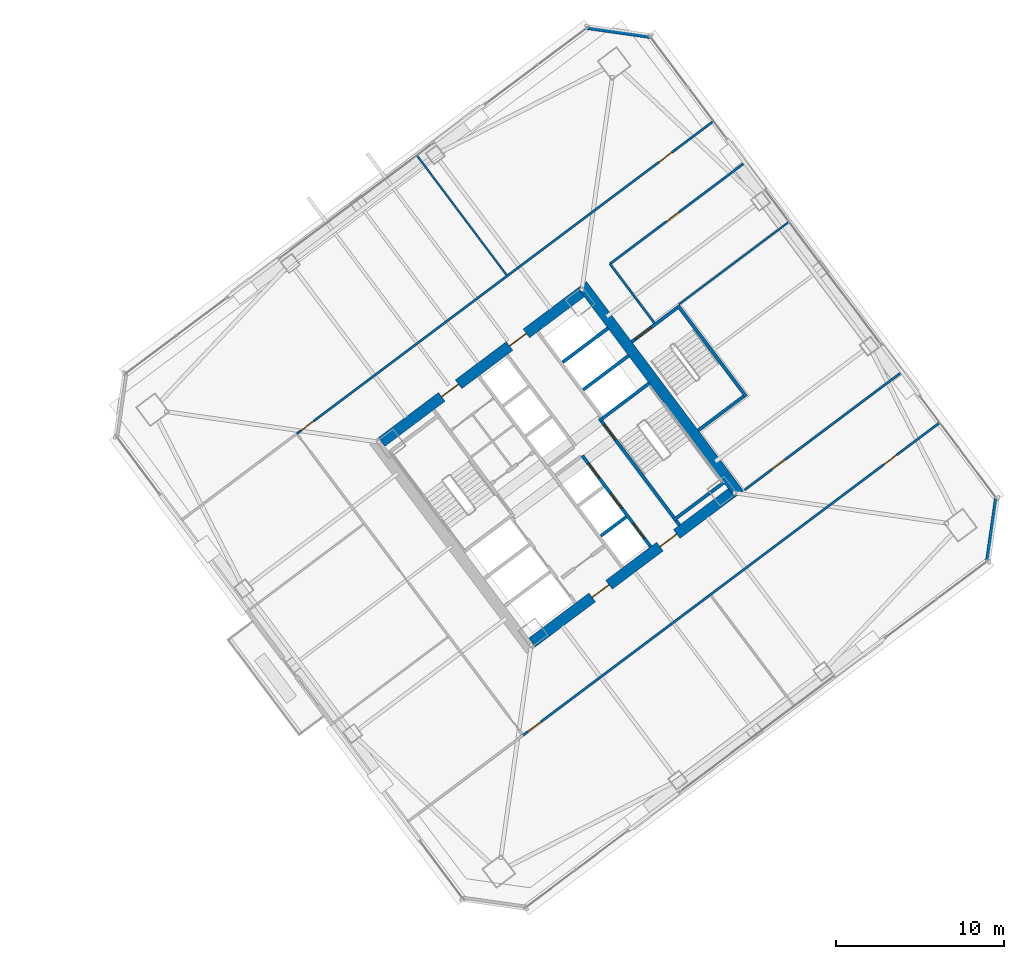
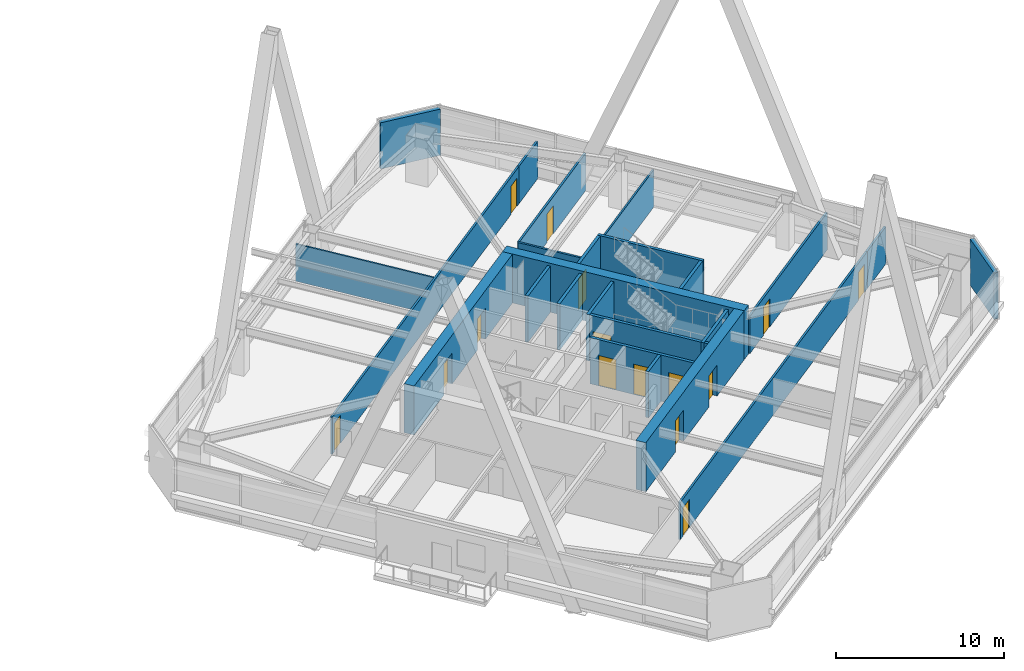
# One storey, part 46 of 54: 24 walls, 15 doors, 15 openings.
"""IFC4 building model written with IfcOpenShell, lengths in metres."""

from ifc_helpers import new_model, si_unit, direction, frame, frame_2d, origin, place, context, subcontext, project, spatial, rectangle, extrude, material, layer, layer_set, type_object, element, fill, save


model = new_model("IFC4")

# Units and contexts
model_context = context("Model", 3, precision=1e-05, world=origin(), true_north=direction((0.0, 1.0)))
body_context = subcontext(model_context, "Body", "Model", "MODEL_VIEW")
ifc_project = project(units=[si_unit("LENGTHUNIT", "METRE"), si_unit("AREAUNIT", "SQUARE_METRE"), si_unit("VOLUMEUNIT", "CUBIC_METRE"), si_unit("PLANEANGLEUNIT", "RADIAN"), si_unit("MASSUNIT", "GRAM", prefix="KILO")], contexts=[model_context])

# Site, building, storey
site_placement = place(None, origin())
site = spatial("IfcSite", under=ifc_project, at=site_placement, CompositionType="ELEMENT")
building_placement = place(site_placement, origin())
building = spatial("IfcBuilding", under=site, at=building_placement, Name="Tashvorn Skyway Center", CompositionType="ELEMENT")
storey_placement = place(building_placement, frame((0.0, 0.0, 88.5)))
storey = spatial("IfcBuildingStorey", under=building, at=storey_placement, Name="L23", CompositionType="ELEMENT", Elevation=88.5)

# Wall
ifc_material_1 = material(Name="Concrete C60/75", Category="concrete")
ifc_layer_1 = layer(ifc_material_1, 0.64990234375)
ifc_layer_set_1 = layer_set([ifc_layer_1], Name="Concrete C60/75")
wall_type_1 = type_object("IfcWallType", Name="WALL-CORE-650", PredefinedType="SHEAR", material=ifc_layer_set_1)
wall_1_placement = place(storey_placement, frame((115.52392578125, 42.89306640625, 0.0), z_axis=(0.0, 0.0, 1.0), x_axis=(0.600005007985, -0.799996243986, 0.0)))
element("IfcWall", 1, at=wall_1_placement, inside=storey, type_object=wall_type_1, Name="Tower 2 L23 East Core Shear Wall", PredefinedType="SHEAR", context=body_context, shape_type="SweptSolid", body=[
    extrude(rectangle(XDim=15.60009765625, YDim=0.64990234375, at=frame_2d((7.800048828125, 0.0))), origin(), (0.0, 0.0, 1.0), 3.550048828125),
])

# Wall, openings, doors
wall_2_placement = place(storey_placement, frame((124.428955078125, 30.47802734375, 0.0), z_axis=(0.0, 0.0, 1.0), x_axis=(-0.799998028465, -0.600002628705, 0.0)))
wall_2 = element("IfcWall", 2, at=wall_2_placement, inside=storey, type_object=wall_type_1, Name="Tower 2 L23 South Core Shear Wall", PredefinedType="SHEAR", context=body_context, shape_type="SweptSolid", body=[
    extrude(rectangle(XDim=14.85986328125, YDim=0.64990234375, at=frame_2d((7.429931640625, 0.0))), origin(), (0.0, 0.0, 1.0), 3.550048828125),
])
opening_1_placement = place(wall_2_placement, frame((9.1298828125, 0.0, 0.0)))
opening_1 = element("IfcOpeningElement", 3, at=opening_1_placement, cuts=wall_2, Name="Opening D-FFL-1250", PredefinedType="OPENING", context=body_context, shape_type="SweptSolid", body=[
    extrude(rectangle(XDim=1.25, YDim=2.25, at=frame_2d((0.625, 1.125))), frame((0.0, 0.3349609375, 0.0), z_axis=(0.0, -1.0, 0.0), x_axis=(1.0, 0.0, 0.0)), (0.0, 0.0, 1.0), 0.669921875),
])
opening_2_placement = place(wall_2_placement, frame((4.080078125, 0.0, 0.0)))
opening_2 = element("IfcOpeningElement", 4, at=opening_2_placement, cuts=wall_2, Name="Opening D-FFL-1250", PredefinedType="OPENING", context=body_context, shape_type="SweptSolid", body=[
    extrude(rectangle(XDim=1.25, YDim=2.25, at=frame_2d((0.625, 1.125))), frame((0.0, 0.3349609375, 0.0), z_axis=(0.0, -1.0, 0.0), x_axis=(1.0, 0.0, 0.0)), (0.0, 0.0, 1.0), 0.669921875),
])
ifc_material_2 = material(Name="Hollow galvanized steel fire door assembly", Category="steel")
door_type_1 = type_object("IfcDoorType", Name="DOOR-FFL-1250", OperationType="NOTDEFINED", PredefinedType="DOOR", material=ifc_material_2)
door_1_placement = place(opening_1_placement, origin())
door_1 = element("IfcDoor", 5, at=door_1_placement, inside=storey, type_object=door_type_1, Name="Tower 2 L23 Core South Firefighting Exit Door", OperationType="SINGLE_SWING_LEFT", OverallHeight=2.25, OverallWidth=1.25, PredefinedType="DOOR", context=body_context, shape_type="SweptSolid", body=[
    extrude(rectangle(XDim=1.25, YDim=2.25, at=frame_2d((0.625, 1.125))), frame((0.0, 0.02490234375, 0.0), z_axis=(0.0, -1.0, 0.0), x_axis=(1.0, 0.0, 0.0)), (0.0, 0.0, 1.0), 0.050048828125),
])
fill(opening_1, door_1)
door_2_placement = place(opening_2_placement, origin())
door_2 = element("IfcDoor", 6, at=door_2_placement, inside=storey, type_object=door_type_1, Name="Tower 2 L23 Core South Lift Lobby Door", OperationType="SINGLE_SWING_RIGHT", OverallHeight=2.25, OverallWidth=1.25, PredefinedType="DOOR", context=body_context, shape_type="SweptSolid", body=[
    extrude(rectangle(XDim=1.25, YDim=2.25, at=frame_2d((0.625, 1.125))), frame((0.0, 0.02490234375, 0.0), z_axis=(0.0, -1.0, 0.0), x_axis=(1.0, 0.0, 0.0)), (0.0, 0.0, 1.0), 0.050048828125),
])
fill(opening_2, door_2)

wall_3_placement = place(storey_placement, frame((103.571044921875, 33.52197265625, 0.0), z_axis=(0.0, 0.0, 1.0), x_axis=(0.799998028465, 0.600002628705, 0.0)))
wall_3 = element("IfcWall", 7, at=wall_3_placement, inside=storey, type_object=wall_type_1, Name="Tower 2 L23 North Core Shear Wall", PredefinedType="SHEAR", context=body_context, shape_type="SweptSolid", body=[
    extrude(rectangle(XDim=14.85986328125, YDim=0.64990234375, at=frame_2d((7.429931640625, 0.0))), origin(), (0.0, 0.0, 1.0), 3.550048828125),
])
opening_3_placement = place(wall_3_placement, frame((4.47998046875, 0.0, 0.0)))
opening_3 = element("IfcOpeningElement", 8, at=opening_3_placement, cuts=wall_3, Name="Opening D-FFL-1250", PredefinedType="OPENING", context=body_context, shape_type="SweptSolid", body=[
    extrude(rectangle(XDim=1.25, YDim=2.25, at=frame_2d((0.625, 1.125))), frame((0.0, 0.3349609375, 0.0), z_axis=(0.0, -1.0, 0.0), x_axis=(1.0, 0.0, 0.0)), (0.0, 0.0, 1.0), 0.669921875),
])
opening_4_placement = place(wall_3_placement, frame((9.530029296875, 0.0, 0.0)))
opening_4 = element("IfcOpeningElement", 9, at=opening_4_placement, cuts=wall_3, Name="Opening D-FFL-1250", PredefinedType="OPENING", context=body_context, shape_type="SweptSolid", body=[
    extrude(rectangle(XDim=1.25, YDim=2.25, at=frame_2d((0.625, 1.125))), frame((0.0, 0.3349609375, 0.0), z_axis=(0.0, -1.0, 0.0), x_axis=(1.0, 0.0, 0.0)), (0.0, 0.0, 1.0), 0.669921875),
])
door_3_placement = place(opening_3_placement, origin())
door_3 = element("IfcDoor", 10, at=door_3_placement, inside=storey, type_object=door_type_1, Name="Tower 2 L23 Core North Service Lobby Door", OperationType="SINGLE_SWING_LEFT", OverallHeight=2.25, OverallWidth=1.25, PredefinedType="DOOR", context=body_context, shape_type="SweptSolid", body=[
    extrude(rectangle(XDim=1.25, YDim=2.25, at=frame_2d((0.625, 1.125))), frame((0.0, 0.02490234375, 0.0), z_axis=(0.0, -1.0, 0.0), x_axis=(1.0, 0.0, 0.0)), (0.0, 0.0, 1.0), 0.050048828125),
])
fill(opening_3, door_3)
door_4_placement = place(opening_4_placement, origin())
door_4 = element("IfcDoor", 11, at=door_4_placement, inside=storey, type_object=door_type_1, Name="Tower 2 L23 Core North Lift Lobby Door", OperationType="SINGLE_SWING_RIGHT", OverallHeight=2.25, OverallWidth=1.25, PredefinedType="DOOR", context=body_context, shape_type="SweptSolid", body=[
    extrude(rectangle(XDim=1.25, YDim=2.25, at=frame_2d((0.625, 1.125))), frame((0.0, 0.02490234375, 0.0), z_axis=(0.0, -1.0, 0.0), x_axis=(1.0, 0.0, 0.0)), (0.0, 0.0, 1.0), 0.050048828125),
])
fill(opening_4, door_4)

# Walls
ifc_material_3 = material(Name="Precast concrete C40/50", Category="concrete")
ifc_layer_2 = layer(ifc_material_3, 0.280029296875)
ifc_layer_set_2 = layer_set([ifc_layer_2], Name="Precast concrete C40/50")
wall_type_2 = type_object("IfcWallType", Name="WALL-EXT-280", PredefinedType="SOLIDWALL", material=ifc_layer_set_2)
for number, where, z_axis, x_axis, name in (
    (12, (115.820068359375, 58.239990234375, 0.0), (0.0, 0.0, 1.0), (0.989948214866, -0.141430307517, 0.0), "Tower 2 L23 NE Precast Chamfer Wall"),
    (13, (140.239990234375, 30.179931640625, 0.0), (0.0, 0.0, 1.0), (-0.141430307517, -0.989948214866, 0.0), "Tower 2 L23 SE Precast Chamfer Wall"),
):
    element("IfcWall", number, at=place(storey_placement, frame(where, z_axis=z_axis, x_axis=x_axis)), inside=storey, type_object=wall_type_2, Name=name, PredefinedType="SOLIDWALL", context=body_context, shape_type="SweptSolid", body=[
        extrude(rectangle(XDim=3.818359375, YDim=0.280029296875, at=frame_2d((1.9091796875, 0.0))), origin(), (0.0, 0.0, 1.0), 3.35009765625),
    ])
ifc_material_4 = material(Name="Gypsum board on cold-formed steel stud framing", Category="steel")
ifc_layer_3 = layer(ifc_material_4, 0.110107421875)
ifc_layer_set_3 = layer_set([ifc_layer_3], Name="Gypsum board on cold-formed steel stud framing")
wall_type_3 = type_object("IfcWallType", Name="WALL-PART-110", PredefinedType="PARTITIONING", material=ifc_layer_set_3)
wall_4_placement = place(storey_placement, frame((111.011962890625, 43.48388671875, 0.0), z_axis=(0.0, 0.0, 1.0), x_axis=(-0.599982443676, 0.800013166942, 0.0)))
element("IfcWall", 14, at=wall_4_placement, inside=storey, type_object=wall_type_3, Name="Tower 2 L23 North Suite Partition 1", PredefinedType="PARTITIONING", context=body_context, shape_type="SweptSolid", body=[
    extrude(rectangle(XDim=8.89990234375, YDim=0.110107421875, at=frame_2d((4.449951171875, 0.0))), origin(), (0.0, 0.0, 1.0), 2.702880859375),
])
wall_5_placement = place(storey_placement, frame((127.864013671875, 46.64794921875, 0.0), z_axis=(0.0, 0.0, 1.0), x_axis=(-0.800007145523, -0.599990472518, 0.0)))
element("IfcWall", 15, at=wall_5_placement, inside=storey, type_object=wall_type_3, Name="Tower 2 L23 East Suite Partition 1", PredefinedType="PARTITIONING", context=body_context, shape_type="SweptSolid", body=[
    extrude(rectangle(XDim=8.199951171875, YDim=0.110107421875, at=frame_2d((4.10009765625, 0.0))), origin(), (0.0, 0.0, 1.0), 2.702880859375),
])
ifc_layer_4 = layer(ifc_material_4, 0.135009765625)
ifc_layer_set_4 = layer_set([ifc_layer_4], Name="Gypsum board on cold-formed steel stud framing")
wall_type_4 = type_object("IfcWallType", Name="WALL-PART-135", PredefinedType="PARTITIONING", material=ifc_layer_set_4)
wall_6_placement = place(storey_placement, frame((119.823974609375, 40.617919921875, 0.0), z_axis=(0.0, 0.0, 1.0), x_axis=(-0.599982243973, 0.800013316712, 0.0)))
element("IfcWall", 16, at=wall_6_placement, inside=storey, type_object=wall_type_4, Name="Tower 2 L23 Stair 3 Access Corridor Wall", PredefinedType="PARTITIONING", context=body_context, shape_type="SweptSolid", body=[
    extrude(rectangle(XDim=4.39990234375, YDim=0.135009765625, at=frame_2d((2.199951171875, 0.0))), origin(), (0.0, 0.0, 1.0), 2.702880859375),
])

# Wall, openings, doors
wall_7_placement = place(storey_placement, frame((98.51611328125, 34.011962890625, 0.0), z_axis=(0.0, 0.0, 1.0), x_axis=(0.8, 0.6, 0.0)))
wall_7 = element("IfcWall", 17, at=wall_7_placement, inside=storey, type_object=wall_type_4, Name="Tower 2 L23 North Suite Wall", PredefinedType="PARTITIONING", context=body_context, shape_type="SweptSolid", body=[
    extrude(rectangle(XDim=28.22998046875, YDim=0.135009765625, at=frame_2d((14.114990234375, 0.0))), origin(), (0.0, 0.0, 1.0), 2.702880859375),
])
opening_5_placement = place(wall_7_placement, frame((0.300048828125, 0.0, 0.0)))
opening_5 = element("IfcOpeningElement", 18, at=opening_5_placement, cuts=wall_7, Name="Opening D-INT-950", PredefinedType="OPENING", context=body_context, shape_type="SweptSolid", body=[
    extrude(rectangle(XDim=0.949951171875, YDim=2.050048828125, at=frame_2d((0.47509765625, 1.02490234375))), frame((0.0, 0.077392578125, 0.0), z_axis=(0.0, -1.0, 0.0), x_axis=(1.0, 0.0, 0.0)), (0.0, 0.0, 1.0), 0.155029296875),
])
opening_6_placement = place(wall_7_placement, frame((26.97998046875, 0.0, 0.0)))
opening_6 = element("IfcOpeningElement", 19, at=opening_6_placement, cuts=wall_7, Name="Opening D-INT-950", PredefinedType="OPENING", context=body_context, shape_type="SweptSolid", body=[
    extrude(rectangle(XDim=0.949951171875, YDim=2.050048828125, at=frame_2d((0.47509765625, 1.02490234375))), frame((0.0, 0.077392578125, 0.0), z_axis=(0.0, -1.0, 0.0), x_axis=(1.0, 0.0, 0.0)), (0.0, 0.0, 1.0), 0.155029296875),
])
ifc_material_5 = material(Name="Solid-core architectural oak veneer door")
door_type_2 = type_object("IfcDoorType", Name="DOOR-INT-950", OperationType="NOTDEFINED", PredefinedType="DOOR", material=ifc_material_5)
door_5_placement = place(opening_5_placement, origin())
door_5 = element("IfcDoor", 20, at=door_5_placement, inside=storey, type_object=door_type_2, Name="Tower 2 L23 Wellness Clinic Door", OperationType="SINGLE_SWING_LEFT", OverallHeight=2.050048828125, OverallWidth=0.949951171875, PredefinedType="DOOR", context=body_context, shape_type="SweptSolid", body=[
    extrude(rectangle(XDim=0.949951171875, YDim=2.050048828125, at=frame_2d((0.47509765625, 1.02490234375))), frame((0.0, 0.02490234375, 0.0), z_axis=(0.0, -1.0, 0.0), x_axis=(1.0, 0.0, 0.0)), (0.0, 0.0, 1.0), 0.050048828125),
])
fill(opening_5, door_5)
door_6_placement = place(opening_6_placement, origin())
door_6 = element("IfcDoor", 21, at=door_6_placement, inside=storey, type_object=door_type_2, Name="Tower 2 L23 Wellness Clinic Door", OperationType="SINGLE_SWING_RIGHT", OverallHeight=2.050048828125, OverallWidth=0.949951171875, PredefinedType="DOOR", context=body_context, shape_type="SweptSolid", body=[
    extrude(rectangle(XDim=0.949951171875, YDim=2.050048828125, at=frame_2d((0.47509765625, 1.02490234375))), frame((0.0, 0.02490234375, 0.0), z_axis=(0.0, -1.0, 0.0), x_axis=(1.0, 0.0, 0.0)), (0.0, 0.0, 1.0), 0.050048828125),
])
fill(opening_6, door_6)

# Wall
wall_8_placement = place(storey_placement, frame((121.10009765625, 50.949951171875, 0.0), z_axis=(0.0, 0.0, 1.0), x_axis=(0.799989647378, 0.600013803248, 0.0)))
element("IfcWall", 22, at=wall_8_placement, inside=storey, type_object=wall_type_4, Name="Tower 2 L23 North-East Suite South Wall", PredefinedType="PARTITIONING", context=body_context, shape_type="SweptSolid", body=[
    extrude(rectangle(XDim=2.829833984375, YDim=0.135009765625, at=frame_2d((1.4150390625, 0.0))), origin(), (0.0, 0.0, 1.0), 2.702880859375),
])

# Wall, openings, doors
wall_9_placement = place(storey_placement, frame((134.58203125, 32.97412109375, 0.0), z_axis=(0.0, 0.0, 1.0), x_axis=(-0.799995848831, -0.600005534853, 0.0)))
wall_9 = element("IfcWall", 23, at=wall_9_placement, inside=storey, type_object=wall_type_4, Name="Tower 2 L23 South Suite Wall", PredefinedType="PARTITIONING", context=body_context, shape_type="SweptSolid", body=[
    extrude(rectangle(XDim=28.230224609375, YDim=0.135009765625, at=frame_2d((14.115234375, 0.0))), origin(), (0.0, 0.0, 1.0), 2.702880859375),
])
opening_7_placement = place(wall_9_placement, frame((26.89990234375, 0.0, 0.0)))
opening_7 = element("IfcOpeningElement", 24, at=opening_7_placement, cuts=wall_9, Name="Opening D-INT-950", PredefinedType="OPENING", context=body_context, shape_type="SweptSolid", body=[
    extrude(rectangle(XDim=0.949951171875, YDim=2.050048828125, at=frame_2d((0.47509765625, 1.02490234375))), frame((0.0, 0.077392578125, 0.0), z_axis=(0.0, -1.0, 0.0), x_axis=(1.0, 0.0, 0.0)), (0.0, 0.0, 1.0), 0.155029296875),
])
opening_8_placement = place(wall_9_placement, frame((0.3798828125, 0.0, 0.0)))
opening_8 = element("IfcOpeningElement", 25, at=opening_8_placement, cuts=wall_9, Name="Opening D-INT-950", PredefinedType="OPENING", context=body_context, shape_type="SweptSolid", body=[
    extrude(rectangle(XDim=0.949951171875, YDim=2.050048828125, at=frame_2d((0.47509765625, 1.02490234375))), frame((0.0, 0.077392578125, 0.0), z_axis=(0.0, -1.0, 0.0), x_axis=(1.0, 0.0, 0.0)), (0.0, 0.0, 1.0), 0.155029296875),
])
door_7_placement = place(opening_7_placement, origin())
door_7 = element("IfcDoor", 26, at=door_7_placement, inside=storey, type_object=door_type_2, Name="Tower 2 L23 Wellness Clinic Door", OperationType="SINGLE_SWING_LEFT", OverallHeight=2.050048828125, OverallWidth=0.949951171875, PredefinedType="DOOR", context=body_context, shape_type="SweptSolid", body=[
    extrude(rectangle(XDim=0.949951171875, YDim=2.050048828125, at=frame_2d((0.47509765625, 1.02490234375))), frame((0.0, 0.02490234375, 0.0), z_axis=(0.0, -1.0, 0.0), x_axis=(1.0, 0.0, 0.0)), (0.0, 0.0, 1.0), 0.050048828125),
])
fill(opening_7, door_7)
door_8_placement = place(opening_8_placement, origin())
door_8 = element("IfcDoor", 27, at=door_8_placement, inside=storey, type_object=door_type_2, Name="Tower 2 L23 Corporate Office Door", OperationType="SINGLE_SWING_RIGHT", OverallHeight=2.050048828125, OverallWidth=0.949951171875, PredefinedType="DOOR", context=body_context, shape_type="SweptSolid", body=[
    extrude(rectangle(XDim=0.949951171875, YDim=2.050048828125, at=frame_2d((0.47509765625, 1.02490234375))), frame((0.0, 0.02490234375, 0.0), z_axis=(0.0, -1.0, 0.0), x_axis=(1.0, 0.0, 0.0)), (0.0, 0.0, 1.0), 0.050048828125),
])
fill(opening_8, door_8)

# Wall
wall_10_placement = place(storey_placement, frame((134.58203125, 32.97412109375, 0.0), z_axis=(0.0, 0.0, 1.0), x_axis=(0.799989647378, 0.600013803248, 0.0)))
element("IfcWall", 28, at=wall_10_placement, inside=storey, type_object=wall_type_4, Name="Tower 2 L23 South-East Suite North Wall", PredefinedType="PARTITIONING", context=body_context, shape_type="SweptSolid", body=[
    extrude(rectangle(XDim=2.829833984375, YDim=0.135009765625, at=frame_2d((1.4150390625, 0.0))), origin(), (0.0, 0.0, 1.0), 2.702880859375),
])

# Wall, opening, door
wall_11_placement = place(storey_placement, frame((125.22412109375, 50.16796875, 0.0), z_axis=(0.0, 0.0, 1.0), x_axis=(-0.8, -0.6, 0.0)))
wall_11 = element("IfcWall", 29, at=wall_11_placement, inside=storey, type_object=wall_type_4, Name="Tower 2 L23 East Suite North Wall", PredefinedType="PARTITIONING", context=body_context, shape_type="SweptSolid", body=[
    extrude(rectangle(XDim=10.050048828125, YDim=0.135009765625, at=frame_2d((5.02490234375, 0.0))), origin(), (0.0, 0.0, 1.0), 2.702880859375),
])
opening_9_placement = place(wall_11_placement, frame((4.89990234375, 0.0, 0.0)))
opening_9 = element("IfcOpeningElement", 30, at=opening_9_placement, cuts=wall_11, Name="Opening D-INT-950", PredefinedType="OPENING", context=body_context, shape_type="SweptSolid", body=[
    extrude(rectangle(XDim=0.949951171875, YDim=2.050048828125, at=frame_2d((0.47509765625, 1.02490234375))), frame((0.0, 0.077392578125, 0.0), z_axis=(0.0, -1.0, 0.0), x_axis=(1.0, 0.0, 0.0)), (0.0, 0.0, 1.0), 0.155029296875),
])
door_9_placement = place(opening_9_placement, origin())
door_9 = element("IfcDoor", 31, at=door_9_placement, inside=storey, type_object=door_type_2, Name="Tower 2 L23 Operations Control Room Door", OperationType="SINGLE_SWING_LEFT", OverallHeight=2.050048828125, OverallWidth=0.949951171875, PredefinedType="DOOR", context=body_context, shape_type="SweptSolid", body=[
    extrude(rectangle(XDim=0.949951171875, YDim=2.050048828125, at=frame_2d((0.47509765625, 1.02490234375))), frame((0.0, 0.02490234375, 0.0), z_axis=(0.0, -1.0, 0.0), x_axis=(1.0, 0.0, 0.0)), (0.0, 0.0, 1.0), 0.050048828125),
])
fill(opening_9, door_9)

wall_12_placement = place(storey_placement, frame((125.2080078125, 30.656005859375, 0.0), z_axis=(0.0, 0.0, 1.0), x_axis=(0.8, 0.6, 0.0)))
wall_12 = element("IfcWall", 32, at=wall_12_placement, inside=storey, type_object=wall_type_4, Name="Tower 2 L23 East Suite South Wall", PredefinedType="PARTITIONING", context=body_context, shape_type="SweptSolid", body=[
    extrude(rectangle(XDim=11.719970703125, YDim=0.135009765625, at=frame_2d((5.85986328125, 0.0))), origin(), (0.0, 0.0, 1.0), 2.702880859375),
])
opening_10_placement = place(wall_12_placement, frame((2.044921875, 0.0, 0.0)))
opening_10 = element("IfcOpeningElement", 33, at=opening_10_placement, cuts=wall_12, Name="Opening D-INT-950", PredefinedType="OPENING", context=body_context, shape_type="SweptSolid", body=[
    extrude(rectangle(XDim=0.949951171875, YDim=2.050048828125, at=frame_2d((0.47509765625, 1.02490234375))), frame((0.0, 0.077392578125, 0.0), z_axis=(0.0, -1.0, 0.0), x_axis=(1.0, 0.0, 0.0)), (0.0, 0.0, 1.0), 0.155029296875),
])
door_10_placement = place(opening_10_placement, origin())
door_10 = element("IfcDoor", 34, at=door_10_placement, inside=storey, type_object=door_type_2, Name="Tower 2 L23 Public Restroom Door", OperationType="SINGLE_SWING_RIGHT", OverallHeight=2.050048828125, OverallWidth=0.949951171875, PredefinedType="DOOR", context=body_context, shape_type="SweptSolid", body=[
    extrude(rectangle(XDim=0.949951171875, YDim=2.050048828125, at=frame_2d((0.47509765625, 1.02490234375))), frame((0.0, 0.02490234375, 0.0), z_axis=(0.0, -1.0, 0.0), x_axis=(1.0, 0.0, 0.0)), (0.0, 0.0, 1.0), 0.050048828125),
])
fill(opening_10, door_10)

# Walls
ifc_material_6 = material(Name="Concrete C40/50", Category="concrete")
ifc_layer_5 = layer(ifc_material_6, 0.199951171875)
ifc_layer_set_5 = layer_set([ifc_layer_5], Name="Concrete C40/50")
wall_type_5 = type_object("IfcWallType", Name="WALL-SHAFT-200", PredefinedType="SOLIDWALL", material=ifc_layer_set_5)
for number, where, z_axis, x_axis, name in (
    (35, (115.590087890625, 36.6298828125, 0.0), (0.0, 0.0, 1.0), (0.799973995579, 0.600034670996, 0.0), "Tower 2 L23 High-Rise Shaft Divider"),
    (36, (114.360107421875, 38.27001953125, 0.0), (0.0, 0.0, 1.0), (0.799973995579, 0.600034670996, 0.0), "Tower 2 L23 High-Rise Shaft Divider"),
):
    element("IfcWall", number, at=place(storey_placement, frame(where, z_axis=z_axis, x_axis=x_axis)), inside=storey, type_object=wall_type_5, Name=name, PredefinedType="SOLIDWALL", context=body_context, shape_type="SweptSolid", body=[
        extrude(rectangle(XDim=3.3798828125, YDim=0.199951171875, at=frame_2d((1.68994140625, 0.0))), origin(), (0.0, 0.0, 1.0), 3.35009765625),
    ])

# Wall, openings, doors
wall_13_placement = place(storey_placement, frame((119.610107421875, 27.27001953125, 0.0), z_axis=(0.0, 0.0, 1.0), x_axis=(-0.600011488909, 0.79999138319, 0.0)))
wall_13 = element("IfcWall", 37, at=wall_13_placement, inside=storey, type_object=wall_type_5, Name="Tower 2 L23 Low-Rise Core Wall", PredefinedType="SOLIDWALL", context=body_context, shape_type="SweptSolid", body=[
    extrude(rectangle(XDim=6.800048828125, YDim=0.199951171875, at=frame_2d((3.39990234375, 0.0))), origin(), (0.0, 0.0, 1.0), 3.35009765625),
])
opening_11_placement = place(wall_13_placement, frame((0.625, 0.0, 0.0)))
opening_11 = element("IfcOpeningElement", 38, at=opening_11_placement, cuts=wall_13, Name="Opening LD-LR-T2-1-L23", PredefinedType="OPENING", context=body_context, shape_type="SweptSolid", body=[
    extrude(rectangle(XDim=1.10009765625, YDim=2.199951171875, at=frame_2d((0.550048828125, 1.10009765625))), frame((0.0, 0.10986328125, 0.0), z_axis=(0.0, -1.0, 0.0), x_axis=(1.0, 0.0, 0.0)), (0.0, 0.0, 1.0), 0.219970703125),
])
opening_12_placement = place(wall_13_placement, frame((2.875, 0.0, 0.0)))
opening_12 = element("IfcOpeningElement", 39, at=opening_12_placement, cuts=wall_13, Name="Opening LD-LR-T2-2-L23", PredefinedType="OPENING", context=body_context, shape_type="SweptSolid", body=[
    extrude(rectangle(XDim=1.10009765625, YDim=2.199951171875, at=frame_2d((0.550048828125, 1.10009765625))), frame((0.0, 0.10986328125, 0.0), z_axis=(0.0, -1.0, 0.0), x_axis=(1.0, 0.0, 0.0)), (0.0, 0.0, 1.0), 0.219970703125),
])
opening_13_placement = place(wall_13_placement, frame((5.125, 0.0, 0.0)))
opening_13 = element("IfcOpeningElement", 40, at=opening_13_placement, cuts=wall_13, Name="Opening LD-LR-T2-3-L23", PredefinedType="OPENING", context=body_context, shape_type="SweptSolid", body=[
    extrude(rectangle(XDim=1.10009765625, YDim=2.199951171875, at=frame_2d((0.550048828125, 1.10009765625))), frame((0.0, 0.10986328125, 0.0), z_axis=(0.0, -1.0, 0.0), x_axis=(1.0, 0.0, 0.0)), (0.0, 0.0, 1.0), 0.219970703125),
])
ifc_material_7 = material(Name="Stainless steel landing door", Category="steel")
door_type_3 = type_object("IfcDoorType", Name="DOOR-LIFT-1100", OperationType="SLIDING_TO_LEFT", PredefinedType="DOOR", material=ifc_material_7)
door_11_placement = place(opening_11_placement, origin())
door_11 = element("IfcDoor", 41, at=door_11_placement, inside=storey, type_object=door_type_3, Name="Lift LR-T2-1 L23 Landing Door", OperationType="SLIDING_TO_LEFT", OverallHeight=2.199951171875, OverallWidth=1.10009765625, PredefinedType="DOOR", context=body_context, shape_type="SweptSolid", body=[
    extrude(rectangle(XDim=1.10009765625, YDim=2.199951171875, at=frame_2d((0.550048828125, 1.10009765625))), frame((0.0, 0.02490234375, 0.0), z_axis=(0.0, -1.0, 0.0), x_axis=(1.0, 0.0, 0.0)), (0.0, 0.0, 1.0), 0.050048828125),
])
fill(opening_11, door_11)
door_12_placement = place(opening_12_placement, origin())
door_12 = element("IfcDoor", 42, at=door_12_placement, inside=storey, type_object=door_type_3, Name="Lift LR-T2-2 L23 Landing Door", OperationType="SLIDING_TO_LEFT", OverallHeight=2.199951171875, OverallWidth=1.10009765625, PredefinedType="DOOR", context=body_context, shape_type="SweptSolid", body=[
    extrude(rectangle(XDim=1.10009765625, YDim=2.199951171875, at=frame_2d((0.550048828125, 1.10009765625))), frame((0.0, 0.02490234375, 0.0), z_axis=(0.0, -1.0, 0.0), x_axis=(1.0, 0.0, 0.0)), (0.0, 0.0, 1.0), 0.050048828125),
])
fill(opening_12, door_12)
door_13_placement = place(opening_13_placement, origin())
door_13 = element("IfcDoor", 43, at=door_13_placement, inside=storey, type_object=door_type_3, Name="Lift LR-T2-3 L23 Landing Door", OperationType="SLIDING_TO_LEFT", OverallHeight=2.199951171875, OverallWidth=1.10009765625, PredefinedType="DOOR", context=body_context, shape_type="SweptSolid", body=[
    extrude(rectangle(XDim=1.10009765625, YDim=2.199951171875, at=frame_2d((0.550048828125, 1.10009765625))), frame((0.0, 0.02490234375, 0.0), z_axis=(0.0, -1.0, 0.0), x_axis=(1.0, 0.0, 0.0)), (0.0, 0.0, 1.0), 0.050048828125),
])
fill(opening_13, door_13)

# Wall
wall_14_placement = place(storey_placement, frame((116.64599609375, 27.922119140625, 0.0), z_axis=(0.0, 0.0, 1.0), x_axis=(0.8, 0.6, 0.0)))
element("IfcWall", 44, at=wall_14_placement, inside=storey, type_object=wall_type_5, Name="Tower 2 L23 Low-Rise Shaft Divider", PredefinedType="SOLIDWALL", context=body_context, shape_type="SweptSolid", body=[
    extrude(rectangle(XDim=1.8798828125, YDim=0.199951171875, at=frame_2d((0.93994140625, 0.0))), origin(), (0.0, 0.0, 1.0), 3.35009765625),
])

# Wall, opening, door
ifc_layer_6 = layer(ifc_material_6, 0.199951171875)
ifc_layer_set_6 = layer_set([ifc_layer_6], Name="Concrete C40/50")
wall_type_6 = type_object("IfcWallType", Name="WALL-STSHF-200", PredefinedType="SHEAR", material=ifc_layer_set_6)
wall_15_placement = place(storey_placement, frame((116.56005859375, 34.919921875, 0.0), z_axis=(0.0, 0.0, 1.0), x_axis=(0.600009827119, -0.799992629566, 0.0)))
wall_15 = element("IfcWall", 45, at=wall_15_placement, inside=storey, type_object=wall_type_6, Name="Tower 2 L23 Stair 2 Enclosure Wall", PredefinedType="SHEAR", context=body_context, shape_type="SweptSolid", body=[
    extrude(rectangle(XDim=7.949951171875, YDim=0.199951171875, at=frame_2d((3.97509765625, 0.0))), origin(), (0.0, 0.0, 1.0), 3.35009765625),
])
opening_14_placement = place(wall_15_placement, frame((0.449951171875, 0.0, 0.0)))
opening_14 = element("IfcOpeningElement", 46, at=opening_14_placement, cuts=wall_15, Name="Opening D-ST-1150", PredefinedType="OPENING", context=body_context, shape_type="SweptSolid", body=[
    extrude(rectangle(XDim=1.14990234375, YDim=2.199951171875, at=frame_2d((0.574951171875, 1.10009765625))), frame((0.0, 0.10986328125, 0.0), z_axis=(0.0, -1.0, 0.0), x_axis=(1.0, 0.0, 0.0)), (0.0, 0.0, 1.0), 0.219970703125),
])
door_type_4 = type_object("IfcDoorType", Name="DOOR-STAIR-1150", OperationType="NOTDEFINED", PredefinedType="DOOR", material=ifc_material_2)
door_14_placement = place(opening_14_placement, origin())
door_14 = element("IfcDoor", 47, at=door_14_placement, inside=storey, type_object=door_type_4, Name="Tower 2 L23 Exit Stair 2 Door", OperationType="SINGLE_SWING_RIGHT", OverallHeight=2.199951171875, OverallWidth=1.14990234375, PredefinedType="DOOR", context=body_context, shape_type="SweptSolid", body=[
    extrude(rectangle(XDim=1.14990234375, YDim=2.199951171875, at=frame_2d((0.574951171875, 1.10009765625))), frame((0.0, 0.02490234375, 0.0), z_axis=(0.0, -1.0, 0.0), x_axis=(1.0, 0.0, 0.0)), (0.0, 0.0, 1.0), 0.050048828125),
])
fill(opening_14, door_14)

# Walls
for number, where, z_axis, x_axis, name in (
    (48, (116.5400390625, 34.780029296875, 0.0), (0.0, 0.0, 1.0), (0.799984290658, 0.600020945218, 0.0), "Tower 2 L23 Stair 2 North Wall"),
    (49, (120.97998046875, 28.860107421875, 0.0), (0.0, 0.0, 1.0), (0.800039270442, 0.59994763584, 0.0), "Tower 2 L23 Stair 2 South Wall"),
):
    element("IfcWall", number, at=place(storey_placement, frame(where, z_axis=z_axis, x_axis=x_axis)), inside=storey, type_object=wall_type_6, Name=name, PredefinedType="SHEAR", context=body_context, shape_type="SweptSolid", body=[
        extrude(rectangle(XDim=3.72998046875, YDim=0.199951171875, at=frame_2d((1.864990234375, 0.0))), origin(), (0.0, 0.0, 1.0), 3.35009765625),
    ])
wall_16_placement = place(storey_placement, frame((125.303955078125, 36.22802734375, 0.0), z_axis=(0.0, 0.0, 1.0), x_axis=(-0.59998851072, 0.800008616831, 0.0)))
element("IfcWall", 50, at=wall_16_placement, inside=storey, type_object=wall_type_6, Name="Tower 2 L23 Stair 3 Outer Wall", PredefinedType="SHEAR", context=body_context, shape_type="SweptSolid", body=[
    extrude(rectangle(XDim=6.7998046875, YDim=0.199951171875, at=frame_2d((3.39990234375, 0.0))), origin(), (0.0, 0.0, 1.0), 3.35009765625),
])

# Wall, opening, door
wall_17_placement = place(storey_placement, frame((121.2041015625, 41.528076171875, 0.0), z_axis=(0.0, 0.0, 1.0), x_axis=(-0.800017232136, -0.599977023131, 0.0)))
wall_17 = element("IfcWall", 51, at=wall_17_placement, inside=storey, type_object=wall_type_6, Name="Tower 2 L23 Stair 3 Enclosure Wall", PredefinedType="SHEAR", context=body_context, shape_type="SweptSolid", body=[
    extrude(rectangle(XDim=3.400146484375, YDim=0.199951171875, at=frame_2d((1.7001953125, 0.0))), origin(), (0.0, 0.0, 1.0), 3.35009765625),
])
opening_15_placement = place(wall_17_placement, frame((1.97509765625, 0.0, 0.0)))
opening_15 = element("IfcOpeningElement", 52, at=opening_15_placement, cuts=wall_17, Name="Opening D-ST-1150", PredefinedType="OPENING", context=body_context, shape_type="SweptSolid", body=[
    extrude(rectangle(XDim=1.14990234375, YDim=2.199951171875, at=frame_2d((0.574951171875, 1.10009765625))), frame((0.0, 0.10986328125, 0.0), z_axis=(0.0, -1.0, 0.0), x_axis=(1.0, 0.0, 0.0)), (0.0, 0.0, 1.0), 0.219970703125),
])
door_15_placement = place(opening_15_placement, origin())
door_15 = element("IfcDoor", 53, at=door_15_placement, inside=storey, type_object=door_type_4, Name="Tower 2 L23 Exit Stair 3 Door", OperationType="SINGLE_SWING_RIGHT", OverallHeight=2.199951171875, OverallWidth=1.14990234375, PredefinedType="DOOR", context=body_context, shape_type="SweptSolid", body=[
    extrude(rectangle(XDim=1.14990234375, YDim=2.199951171875, at=frame_2d((0.574951171875, 1.10009765625))), frame((0.0, 0.02490234375, 0.0), z_axis=(0.0, -1.0, 0.0), x_axis=(1.0, 0.0, 0.0)), (0.0, 0.0, 1.0), 0.050048828125),
])
fill(opening_15, door_15)

# Wall
wall_18_placement = place(storey_placement, frame((122.444091796875, 34.2080078125, 0.0), z_axis=(0.0, 0.0, 1.0), x_axis=(0.79999138319, 0.600011488909, 0.0)))
element("IfcWall", 54, at=wall_18_placement, inside=storey, type_object=wall_type_6, Name="Tower 2 L23 Stair 3 South Wall", PredefinedType="SHEAR", context=body_context, shape_type="SweptSolid", body=[
    extrude(rectangle(XDim=3.39990234375, YDim=0.199951171875, at=frame_2d((1.699951171875, 0.0))), origin(), (0.0, 0.0, 1.0), 3.35009765625),
])

save(model, "model.ifc")
